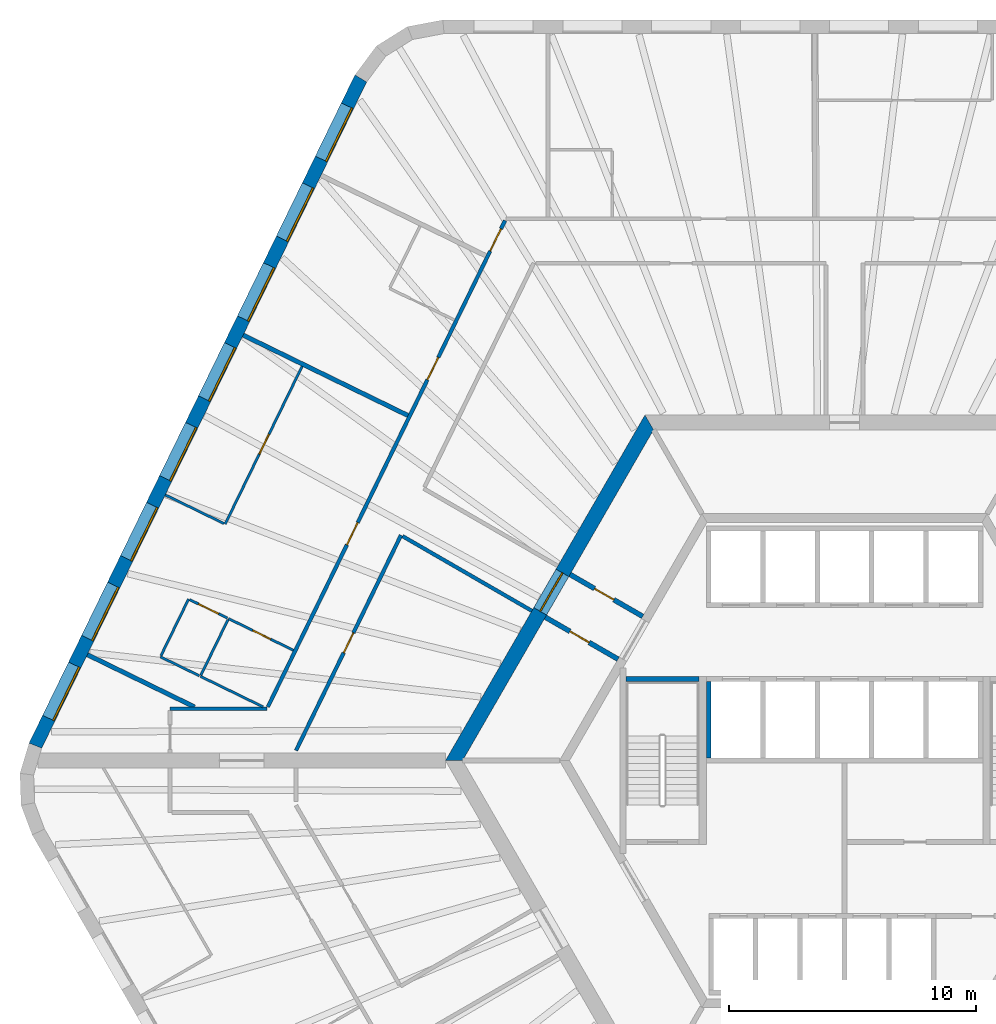
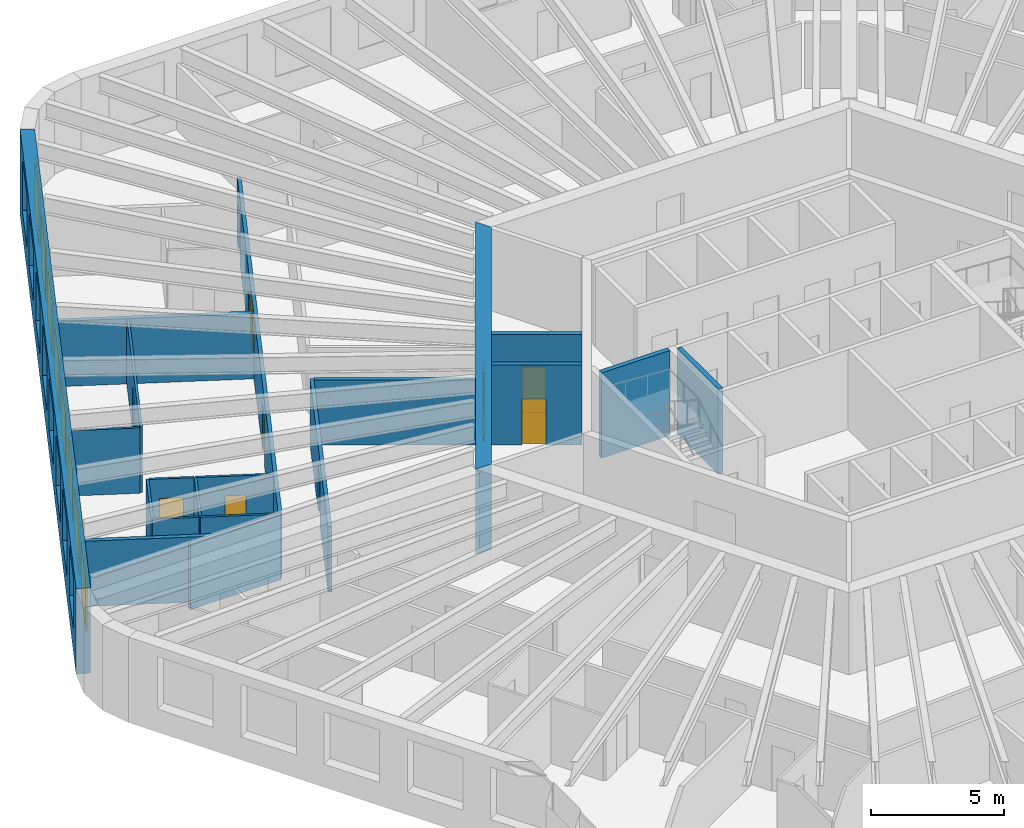
# One storey, part 7 of 12: 20 walls, 10 doors, 8 windows, 18 openings.
"""IFC4 building model written with IfcOpenShell, lengths in metres."""

from ifc_helpers import new_model, si_unit, direction, frame, frame_2d, origin, place, context, subcontext, project, spatial, polyline, rectangle, outline, extrude, material, layer, layer_set, type_object, element, fill, save


model = new_model("IFC4")

# Units and contexts
model_context = context("Model", 3, precision=1e-05, world=origin(), true_north=direction((0.0, 1.0)))
body_context = subcontext(model_context, "Body", "Model", "MODEL_VIEW")
ifc_project = project(units=[si_unit("LENGTHUNIT", "METRE"), si_unit("AREAUNIT", "SQUARE_METRE"), si_unit("VOLUMEUNIT", "CUBIC_METRE"), si_unit("PLANEANGLEUNIT", "RADIAN"), si_unit("MASSUNIT", "GRAM", prefix="KILO")], contexts=[model_context])

# Site, building, storey
site_placement = place(None, origin())
site = spatial("IfcSite", under=ifc_project, at=site_placement, CompositionType="ELEMENT")
building_placement = place(site_placement, origin())
building = spatial("IfcBuilding", under=site, at=building_placement, Name="Tarnside Tower", CompositionType="ELEMENT")
storey_placement = place(building_placement, frame((0.0, 0.0, 76.5)))
storey = spatial("IfcBuildingStorey", under=building, at=storey_placement, Name="L16", CompositionType="ELEMENT", Elevation=76.5)

# Wall
ifc_material_1 = material(Name="Gypsum board partition on steel studs", Category="steel")
ifc_layer_1 = layer(ifc_material_1, 0.10009765625)
ifc_layer_set_1 = layer_set([ifc_layer_1], Name="Bathroom wall 100")
wall_type_1 = type_object("IfcWallType", Name="Bathroom wall 100", PredefinedType="PARTITIONING", material=ifc_layer_set_1)
wall_1_placement = place(storey_placement, frame((-23.551025390625, 2.175048828125, 0.0), z_axis=(0.0, 0.0, 1.0), x_axis=(-0.89881903386, 0.438319910991, 0.0)))
element("IfcWall", 1, at=wall_1_placement, inside=storey, type_object=wall_type_1, Name="Bathroom wall 04096", PredefinedType="PARTITIONING", context=body_context, shape_type="SweptSolid", body=[
    extrude(rectangle(XDim=2.828857421875, YDim=0.10009765625, at=frame_2d((1.41455078125, 0.0))), origin(), (0.0, 0.0, 1.0), 2.98779296875),
])

# Wall, opening, door
wall_2_placement = place(storey_placement, frame((-24.9541015625, 5.751953125, 0.0), z_axis=(0.0, 0.0, 1.0), x_axis=(0.89880694479, -0.438344699976, 0.0)))
wall_2 = element("IfcWall", 2, at=wall_2_placement, inside=storey, type_object=wall_type_1, Name="Bathroom wall 04097", PredefinedType="PARTITIONING", context=body_context, shape_type="SweptSolid", body=[
    extrude(rectangle(XDim=2.925048828125, YDim=0.10009765625, at=frame_2d((1.46240234375, 0.0))), origin(), (0.0, 0.0, 1.0), 2.98779296875),
])
opening_1_placement = place(wall_2_placement, frame((1.10009765625, 0.0, 0.0)))
opening_1 = element("IfcOpeningElement", 3, at=opening_1_placement, cuts=wall_2, Name="Opening D-B1", PredefinedType="OPENING", context=body_context, shape_type="SweptSolid", body=[
    extrude(rectangle(XDim=0.800048828125, YDim=2.10009765625, at=frame_2d((0.39990234375, 1.050048828125))), frame((0.0, 0.06005859375, 0.0), z_axis=(0.0, -1.0, 0.0), x_axis=(1.0, 0.0, 0.0)), (0.0, 0.0, 1.0), 0.1201171875),
])
ifc_material_2 = material(Name="Timber door leaf", Category="wood")
door_type_1 = type_object("IfcDoorType", Name="Bathroom door 800", OperationType="NOTDEFINED", PredefinedType="DOOR", material=ifc_material_2)
door_1_placement = place(opening_1_placement, origin())
door_1 = element("IfcDoor", 4, at=door_1_placement, inside=storey, type_object=door_type_1, Name="Bathroom door 04011", OperationType="SINGLE_SWING_LEFT", OverallHeight=2.10009765625, OverallWidth=0.800048828125, PredefinedType="DOOR", context=body_context, shape_type="SweptSolid", body=[
    extrude(rectangle(XDim=0.800048828125, YDim=2.10009765625, at=frame_2d((0.39990234375, 1.050048828125))), frame((0.0, 0.02490234375, 0.0), z_axis=(0.0, -1.0, 0.0), x_axis=(1.0, 0.0, 0.0)), (0.0, 0.0, 1.0), 0.050048828125),
])
fill(opening_1, door_1)

# Wall
wall_3_placement = place(storey_placement, frame((-24.975830078125, 5.70703125, 0.0), z_axis=(0.0, 0.0, 1.0), x_axis=(-0.438363988158, -0.898797537761, 0.0)))
element("IfcWall", 5, at=wall_3_placement, inside=storey, type_object=wall_type_1, Name="Bathroom wall 04104", PredefinedType="PARTITIONING", context=body_context, shape_type="SweptSolid", body=[
    extrude(rectangle(XDim=2.5, YDim=0.10009765625, at=frame_2d((1.25, 0.0))), origin(), (0.0, 0.0, 1.0), 2.98779296875),
])

# Wall, opening, door
ifc_material_3 = material(Name="Concrete C40/50", Category="concrete")
ifc_layer_2 = layer(ifc_material_3, 0.199951171875)
ifc_layer_set_2 = layer_set([ifc_layer_2], Name="Core room partition 200 C40/50")
wall_type_2 = type_object("IfcWallType", Name="Core room partition 200 C40/50", PredefinedType="PARTITIONING", material=ifc_layer_set_2)
wall_4_placement = place(storey_placement, frame((-9.1748046875, 4.10888671875, 0.0), z_axis=(0.0, 0.0, 1.0), x_axis=(-0.865989465428, 0.500062241894, 0.0)))
wall_4 = element("IfcWall", 6, at=wall_4_placement, inside=storey, type_object=wall_type_2, Name="L16 core partition AC1L", PredefinedType="PARTITIONING", context=body_context, shape_type="SweptSolid", body=[
    extrude(rectangle(XDim=3.39990234375, YDim=0.199951171875, at=frame_2d((1.699951171875, 0.0))), origin(), (0.0, 0.0, 1.0), 3.64990234375),
])
opening_2_placement = place(wall_4_placement, frame((1.3505859375, 0.0, 0.0)))
opening_2 = element("IfcOpeningElement", 7, at=opening_2_placement, cuts=wall_4, Name="Opening CD-room", PredefinedType="OPENING", context=body_context, shape_type="SweptSolid", body=[
    extrude(rectangle(XDim=0.89990234375, YDim=2.10009765625, at=frame_2d((0.449951171875, 1.050048828125))), frame((0.0, 0.10986328125, 0.0), z_axis=(0.0, -1.0, 0.0), x_axis=(1.0, 0.0, 0.0)), (0.0, 0.0, 1.0), 0.219970703125),
])
ifc_material_4 = material(Name="Steel fire door", Category="steel")
door_type_2 = type_object("IfcDoorType", Name="Room door FD60 900x2100", OperationType="NOTDEFINED", PredefinedType="DOOR", material=ifc_material_4)
door_2_placement = place(opening_2_placement, origin())
door_2 = element("IfcDoor", 8, at=door_2_placement, inside=storey, type_object=door_type_2, Name="L16 core room door AX1L", OperationType="SINGLE_SWING_LEFT", OverallHeight=2.10009765625, OverallWidth=0.89990234375, PredefinedType="DOOR", context=body_context, shape_type="SweptSolid", body=[
    extrude(rectangle(XDim=0.89990234375, YDim=2.10009765625, at=frame_2d((0.449951171875, 1.050048828125))), frame((0.0, 0.02490234375, 0.0), z_axis=(0.0, -1.0, 0.0), x_axis=(1.0, 0.0, 0.0)), (0.0, 0.0, 1.0), 0.050048828125),
])
fill(opening_2, door_2)

wall_5_placement = place(storey_placement, frame((-8.1748046875, 5.841064453125, 0.0), z_axis=(0.0, 0.0, 1.0), x_axis=(-0.866020560687, 0.500008388397, 0.0)))
wall_5 = element("IfcWall", 9, at=wall_5_placement, inside=storey, type_object=wall_type_2, Name="L16 core partition AC1R", PredefinedType="PARTITIONING", context=body_context, shape_type="SweptSolid", body=[
    extrude(rectangle(XDim=3.39990234375, YDim=0.199951171875, at=frame_2d((1.699951171875, 0.0))), origin(), (0.0, 0.0, 1.0), 3.64990234375),
])
opening_3_placement = place(wall_5_placement, frame((1.349609375, 0.0, 0.0)))
opening_3 = element("IfcOpeningElement", 10, at=opening_3_placement, cuts=wall_5, Name="Opening CD-room", PredefinedType="OPENING", context=body_context, shape_type="SweptSolid", body=[
    extrude(rectangle(XDim=0.89990234375, YDim=2.10009765625, at=frame_2d((0.449951171875, 1.050048828125))), frame((0.0, 0.10986328125, 0.0), z_axis=(0.0, -1.0, 0.0), x_axis=(1.0, 0.0, 0.0)), (0.0, 0.0, 1.0), 0.219970703125),
])
door_3_placement = place(opening_3_placement, origin())
door_3 = element("IfcDoor", 11, at=door_3_placement, inside=storey, type_object=door_type_2, Name="L16 core room door AX1R", OperationType="SINGLE_SWING_LEFT", OverallHeight=2.10009765625, OverallWidth=0.89990234375, PredefinedType="DOOR", context=body_context, shape_type="SweptSolid", body=[
    extrude(rectangle(XDim=0.89990234375, YDim=2.10009765625, at=frame_2d((0.449951171875, 1.050048828125))), frame((0.0, 0.02490234375, 0.0), z_axis=(0.0, -1.0, 0.0), x_axis=(1.0, 0.0, 0.0)), (0.0, 0.0, 1.0), 0.050048828125),
])
fill(opening_3, door_3)

ifc_material_5 = material(Name="Concrete C80/95", Category="concrete")
ifc_layer_3 = layer(ifc_material_5, 0.60009765625)
ifc_layer_set_3 = layer_set([ifc_layer_3], Name="Core wall Z1 600 C80/95")
wall_type_3 = type_object("IfcWallType", Name="Core wall Z1 600 C80/95", PredefinedType="SHEAR", material=ifc_layer_set_3)
wall_6_placement = place(storey_placement, frame((-7.90966796875, 13.699951171875, -0.14990234375), z_axis=(0.0, 0.0, 1.0), x_axis=(-0.499999880136, -0.866025472988, 0.0)))
wall_6 = element("IfcWall", 12, at=wall_6_placement, inside=storey, type_object=wall_type_3, Name="L16 core wall face 2", PredefinedType="SHEAR", context=body_context, shape_type="SweptSolid", body=[
    extrude(outline(polyline([(-0.17333984375, -0.300048828125), (15.99267578125, -0.300048828125), (15.64599609375, 0.300048828125), (0.17333984375, 0.300048828125), (-0.17333984375, -0.300048828125)])), origin(), (0.0, 0.0, 1.0), 3.89990234375),
])
opening_4_placement = place(wall_6_placement, frame((7.03857421875, 0.0, 0.14990234375)))
opening_4 = element("IfcOpeningElement", 13, at=opening_4_placement, cuts=wall_6, Name="Opening CD-LOB", PredefinedType="OPENING", context=body_context, shape_type="SweptSolid", body=[
    extrude(rectangle(XDim=1.800048828125, YDim=2.39990234375, at=frame_2d((0.89990234375, 1.199951171875))), frame((0.0, 0.31005859375, 0.0), z_axis=(0.0, -1.0, 0.0), x_axis=(1.0, 0.0, 0.0)), (0.0, 0.0, 1.0), 0.6201171875),
])
door_type_3 = type_object("IfcDoorType", Name="Lobby double door FD30S 1800x2400", OperationType="NOTDEFINED", PredefinedType="DOOR", material=ifc_material_4)
door_4_placement = place(opening_4_placement, origin())
door_4 = element("IfcDoor", 14, at=door_4_placement, inside=storey, type_object=door_type_3, Name="L16 core door P1", OperationType="DOUBLE_DOOR_SINGLE_SWING", OverallHeight=2.39990234375, OverallWidth=1.800048828125, PredefinedType="DOOR", context=body_context, shape_type="SweptSolid", body=[
    extrude(rectangle(XDim=1.800048828125, YDim=2.39990234375, at=frame_2d((0.89990234375, 1.199951171875))), frame((0.0, 0.02490234375, 0.0), z_axis=(0.0, -1.0, 0.0), x_axis=(1.0, 0.0, 0.0)), (0.0, 0.0, 1.0), 0.050048828125),
])
fill(opening_4, door_4)

# Wall, openings, doors
ifc_layer_4 = layer(ifc_material_1, 0.14990234375)
ifc_layer_set_4 = layer_set([ifc_layer_4], Name="Corridor wall 150 EI 60")
wall_type_4 = type_object("IfcWallType", Name="Corridor wall 150 EI 60", PredefinedType="PARTITIONING", material=ifc_layer_set_4)
wall_7_placement = place(storey_placement, frame((-13.75244140625, 21.875, 0.0), z_axis=(0.0, 0.0, 1.0), x_axis=(-0.438374473378, -0.898792423806, 0.0)))
wall_7 = element("IfcWall", 15, at=wall_7_placement, inside=storey, type_object=wall_type_4, Name="Corridor wall 04008", PredefinedType="PARTITIONING", context=body_context, shape_type="SweptSolid", body=[
    extrude(rectangle(XDim=21.918212890625, YDim=0.14990234375, at=frame_2d((10.958984375, 0.0))), origin(), (0.0, 0.0, 1.0), 2.98779296875),
])
opening_5_placement = place(wall_7_placement, frame((0.371337890625, 0.0, 0.0)))
opening_5 = element("IfcOpeningElement", 16, at=opening_5_placement, cuts=wall_7, Name="Opening D-E1", PredefinedType="OPENING", context=body_context, shape_type="SweptSolid", body=[
    extrude(rectangle(XDim=1.0, YDim=2.10009765625, at=frame_2d((0.5, 1.050048828125))), frame((0.0, 0.0849609375, 0.0), z_axis=(0.0, -1.0, 0.0), x_axis=(1.0, 0.0, 0.0)), (0.0, 0.0, 1.0), 0.169921875),
])
opening_6_placement = place(wall_7_placement, frame((6.17138671875, 0.0, 0.0)))
opening_6 = element("IfcOpeningElement", 17, at=opening_6_placement, cuts=wall_7, Name="Opening D-E1", PredefinedType="OPENING", context=body_context, shape_type="SweptSolid", body=[
    extrude(rectangle(XDim=1.0, YDim=2.10009765625, at=frame_2d((0.5, 1.050048828125))), frame((0.0, 0.0849609375, 0.0), z_axis=(0.0, -1.0, 0.0), x_axis=(1.0, 0.0, 0.0)), (0.0, 0.0, 1.0), 0.169921875),
])
opening_7_placement = place(wall_7_placement, frame((13.611572265625, 0.0, 0.0)))
opening_7 = element("IfcOpeningElement", 18, at=opening_7_placement, cuts=wall_7, Name="Opening D-E1", PredefinedType="OPENING", context=body_context, shape_type="SweptSolid", body=[
    extrude(rectangle(XDim=1.0, YDim=2.10009765625, at=frame_2d((0.5, 1.050048828125))), frame((0.0, 0.0849609375, 0.0), z_axis=(0.0, -1.0, 0.0), x_axis=(1.0, 0.0, 0.0)), (0.0, 0.0, 1.0), 0.169921875),
])
door_type_4 = type_object("IfcDoorType", Name="Unit entrance door 1000 FD30S", OperationType="NOTDEFINED", PredefinedType="DOOR", material=ifc_material_2)
door_5_placement = place(opening_5_placement, origin())
door_5 = element("IfcDoor", 19, at=door_5_placement, inside=storey, type_object=door_type_4, Name="Unit door 04007", OperationType="SINGLE_SWING_LEFT", OverallHeight=2.10009765625, OverallWidth=1.0, PredefinedType="DOOR", context=body_context, shape_type="SweptSolid", body=[
    extrude(rectangle(XDim=1.0, YDim=2.10009765625, at=frame_2d((0.5, 1.050048828125))), frame((0.0, 0.02490234375, 0.0), z_axis=(0.0, -1.0, 0.0), x_axis=(1.0, 0.0, 0.0)), (0.0, 0.0, 1.0), 0.050048828125),
])
fill(opening_5, door_5)
door_6_placement = place(opening_6_placement, origin())
door_6 = element("IfcDoor", 20, at=door_6_placement, inside=storey, type_object=door_type_4, Name="Unit door 04008", OperationType="SINGLE_SWING_LEFT", OverallHeight=2.10009765625, OverallWidth=1.0, PredefinedType="DOOR", context=body_context, shape_type="SweptSolid", body=[
    extrude(rectangle(XDim=1.0, YDim=2.10009765625, at=frame_2d((0.5, 1.050048828125))), frame((0.0, 0.02490234375, 0.0), z_axis=(0.0, -1.0, 0.0), x_axis=(1.0, 0.0, 0.0)), (0.0, 0.0, 1.0), 0.050048828125),
])
fill(opening_6, door_6)
door_7_placement = place(opening_7_placement, origin())
door_7 = element("IfcDoor", 21, at=door_7_placement, inside=storey, type_object=door_type_4, Name="Unit door 04010", OperationType="SINGLE_SWING_LEFT", OverallHeight=2.10009765625, OverallWidth=1.0, PredefinedType="DOOR", context=body_context, shape_type="SweptSolid", body=[
    extrude(rectangle(XDim=1.0, YDim=2.10009765625, at=frame_2d((0.5, 1.050048828125))), frame((0.0, 0.02490234375, 0.0), z_axis=(0.0, -1.0, 0.0), x_axis=(1.0, 0.0, 0.0)), (0.0, 0.0, 1.0), 0.050048828125),
])
fill(opening_7, door_7)

# Wall
wall_8_placement = place(storey_placement, frame((-23.3974609375, 2.10009765625, 0.0), z_axis=(0.0, 0.0, 1.0), x_axis=(-1.0, 0.0, 0.0)))
element("IfcWall", 22, at=wall_8_placement, inside=storey, type_object=wall_type_4, Name="Corridor wall 04011", PredefinedType="PARTITIONING", context=body_context, shape_type="SweptSolid", body=[
    extrude(rectangle(XDim=3.9228515625, YDim=0.14990234375, at=frame_2d((1.96142578125, 0.0))), origin(), (0.0, 0.0, 1.0), 2.98779296875),
])

# Wall, opening, door
wall_9_placement = place(storey_placement, frame((-22.218994140625, 0.41015625, 0.0), z_axis=(0.0, 0.0, 1.0), x_axis=(0.438391891827, 0.898783927972, 0.0)))
wall_9 = element("IfcWall", 23, at=wall_9_placement, inside=storey, type_object=wall_type_4, Name="Corridor wall 04023", PredefinedType="PARTITIONING", context=body_context, shape_type="SweptSolid", body=[
    extrude(rectangle(XDim=9.698974609375, YDim=0.14990234375, at=frame_2d((4.849609375, 0.0))), origin(), (0.0, 0.0, 1.0), 2.98779296875),
])
opening_8_placement = place(wall_9_placement, frame((4.399658203125, 0.0, 0.0)))
opening_8 = element("IfcOpeningElement", 24, at=opening_8_placement, cuts=wall_9, Name="Opening D-S1", PredefinedType="OPENING", context=body_context, shape_type="SweptSolid", body=[
    extrude(rectangle(XDim=0.89990234375, YDim=2.10009765625, at=frame_2d((0.449951171875, 1.050048828125))), frame((0.0, 0.0849609375, 0.0), z_axis=(0.0, -1.0, 0.0), x_axis=(1.0, 0.0, 0.0)), (0.0, 0.0, 1.0), 0.169921875),
])
door_type_5 = type_object("IfcDoorType", Name="Service room door 900 FD30S", OperationType="NOTDEFINED", PredefinedType="DOOR", material=ifc_material_2)
door_8_placement = place(opening_8_placement, origin())
door_8 = element("IfcDoor", 25, at=door_8_placement, inside=storey, type_object=door_type_5, Name="Service door 04043", OperationType="SINGLE_SWING_LEFT", OverallHeight=2.10009765625, OverallWidth=0.89990234375, PredefinedType="DOOR", context=body_context, shape_type="SweptSolid", body=[
    extrude(rectangle(XDim=0.89990234375, YDim=2.10009765625, at=frame_2d((0.449951171875, 1.050048828125))), frame((0.0, 0.02490234375, 0.0), z_axis=(0.0, -1.0, 0.0), x_axis=(1.0, 0.0, 0.0)), (0.0, 0.0, 1.0), 0.050048828125),
])
fill(opening_8, door_8)

# Walls
wall_10_placement = place(storey_placement, frame((-17.902099609375, 9.08984375, 0.0), z_axis=(0.0, 0.0, 1.0), x_axis=(0.866036368755, -0.499981007633, 0.0)))
element("IfcWall", 26, at=wall_10_placement, inside=storey, type_object=wall_type_4, Name="Corridor wall 04024", PredefinedType="PARTITIONING", context=body_context, shape_type="SweptSolid", body=[
    extrude(rectangle(XDim=6.048583984375, YDim=0.14990234375, at=frame_2d((3.0244140625, 0.0))), origin(), (0.0, 0.0, 1.0), 2.98779296875),
])
ifc_layer_5 = layer(ifc_material_1, 0.179931640625)
ifc_layer_set_5 = layer_set([ifc_layer_5], Name="Demising wall 180 EI 60")
wall_type_5 = type_object("IfcWallType", Name="Demising wall 180 EI 60", PredefinedType="PARTITIONING", material=ifc_layer_set_5)
wall_11_placement = place(storey_placement, frame((-24.3603515625, 17.234130859375, 0.0), z_axis=(0.0, 0.0, 1.0), x_axis=(0.898796252669, -0.438366623032, 0.0)))
element("IfcWall", 27, at=wall_11_placement, inside=storey, type_object=wall_type_5, Name="Demising wall 04094", PredefinedType="PARTITIONING", context=body_context, shape_type="SweptSolid", body=[
    extrude(rectangle(XDim=7.425048828125, YDim=0.179931640625, at=frame_2d((3.71240234375, 0.0))), origin(), (0.0, 0.0, 1.0), 2.98779296875),
])
wall_12_placement = place(storey_placement, frame((-30.673095703125, 4.29150390625, 0.0), z_axis=(0.0, 0.0, 1.0), x_axis=(0.898812662672, -0.438332975512, 0.0)))
element("IfcWall", 28, at=wall_12_placement, inside=storey, type_object=wall_type_5, Name="Demising wall 04103", PredefinedType="PARTITIONING", context=body_context, shape_type="SweptSolid", body=[
    extrude(rectangle(XDim=4.828369140625, YDim=0.179931640625, at=frame_2d((2.4140625, 0.0))), origin(), (0.0, 0.0, 1.0), 2.98779296875),
])
ifc_layer_6 = layer(ifc_material_3, 0.199951171875)
ifc_layer_set_6 = layer_set([ifc_layer_6], Name="Lift shaft wall 200 C40/50")
wall_type_6 = type_object("IfcWallType", Name="Lift shaft wall 200 C40/50", PredefinedType="SHEAR", material=ifc_layer_set_6)
wall_13_placement = place(storey_placement, frame((-5.5, 0.10009765625, -0.25), z_axis=(0.0, 0.0, 1.0), x_axis=(0.0, 1.0, 0.0)))
element("IfcWall", 29, at=wall_13_placement, inside=storey, type_object=wall_type_6, Name="L16 lift shaft partition R21", PredefinedType="SHEAR", context=body_context, shape_type="SweptSolid", body=[
    extrude(rectangle(XDim=3.099853515625, YDim=0.199951171875, at=frame_2d((1.5498046875, 0.0))), origin(), (0.0, 0.0, 1.0), 3.89990234375),
])
wall_14_placement = place(storey_placement, frame((-8.85009765625, 3.300048828125, -0.25), z_axis=(0.0, 0.0, 1.0), x_axis=(1.0, 0.0, 0.0)))
element("IfcWall", 30, at=wall_14_placement, inside=storey, type_object=wall_type_6, Name="L16 stair 2 enclosure cap wall n", PredefinedType="SHEAR", context=body_context, shape_type="SweptSolid", body=[
    extrude(rectangle(XDim=2.9501953125, YDim=0.199951171875, at=frame_2d((1.47509765625, 0.0))), origin(), (0.0, 0.0, 1.0), 3.89990234375),
])
ifc_layer_7 = layer(ifc_material_1, 0.10009765625)
ifc_layer_set_7 = layer_set([ifc_layer_7], Name="Partition 100")
wall_type_7 = type_object("IfcWallType", Name="Partition 100", PredefinedType="PARTITIONING", material=ifc_layer_set_7)
wall_15_placement = place(storey_placement, frame((-26.138671875, 3.43701171875, 0.0), z_axis=(0.0, 0.0, 1.0), x_axis=(-0.89881938742, 0.438319185981, 0.0)))
element("IfcWall", 31, at=wall_15_placement, inside=storey, type_object=wall_type_7, Name="Partition wall 04098", PredefinedType="PARTITIONING", context=body_context, shape_type="SweptSolid", body=[
    extrude(rectangle(XDim=1.75, YDim=0.10009765625, at=frame_2d((0.875, 0.0))), origin(), (0.0, 0.0, 1.0), 2.98779296875),
])
wall_16_placement = place(storey_placement, frame((-27.689697265625, 4.2490234375, 0.0), z_axis=(0.0, 0.0, 1.0), x_axis=(0.438384020656, 0.898787767181, 0.0)))
element("IfcWall", 32, at=wall_16_placement, inside=storey, type_object=wall_type_7, Name="Partition wall 04099", PredefinedType="PARTITIONING", context=body_context, shape_type="SweptSolid", body=[
    extrude(rectangle(XDim=2.550048828125, YDim=0.10009765625, at=frame_2d((1.27490234375, 0.0))), origin(), (0.0, 0.0, 1.0), 2.98779296875),
])

# Wall, opening, door
wall_17_placement = place(storey_placement, frame((-26.52685546875, 6.51904296875, 0.0), z_axis=(0.0, 0.0, 1.0), x_axis=(0.898807091918, -0.438344398296, 0.0)))
wall_17 = element("IfcWall", 33, at=wall_17_placement, inside=storey, type_object=wall_type_7, Name="Partition wall 04100", PredefinedType="PARTITIONING", context=body_context, shape_type="SweptSolid", body=[
    extrude(rectangle(XDim=1.699951171875, YDim=0.10009765625, at=frame_2d((0.85009765625, 0.0))), origin(), (0.0, 0.0, 1.0), 2.98779296875),
])
opening_9_placement = place(wall_17_placement, frame((0.39990234375, 0.0, 0.0)))
opening_9 = element("IfcOpeningElement", 34, at=opening_9_placement, cuts=wall_17, Name="Opening D-I1", PredefinedType="OPENING", context=body_context, shape_type="SweptSolid", body=[
    extrude(rectangle(XDim=0.89990234375, YDim=2.10009765625, at=frame_2d((0.449951171875, 1.050048828125))), frame((0.0, 0.06005859375, 0.0), z_axis=(0.0, -1.0, 0.0), x_axis=(1.0, 0.0, 0.0)), (0.0, 0.0, 1.0), 0.1201171875),
])
door_type_6 = type_object("IfcDoorType", Name="Internal door 900", OperationType="NOTDEFINED", PredefinedType="DOOR", material=ifc_material_2)
door_9_placement = place(opening_9_placement, origin())
door_9 = element("IfcDoor", 35, at=door_9_placement, inside=storey, type_object=door_type_6, Name="Internal door 04012", OperationType="SINGLE_SWING_RIGHT", OverallHeight=2.10009765625, OverallWidth=0.89990234375, PredefinedType="DOOR", context=body_context, shape_type="SweptSolid", body=[
    extrude(rectangle(XDim=0.89990234375, YDim=2.10009765625, at=frame_2d((0.449951171875, 1.050048828125))), frame((0.0, 0.02490234375, 0.0), z_axis=(0.0, -1.0, 0.0), x_axis=(1.0, 0.0, 0.0)), (0.0, 0.0, 1.0), 0.050048828125),
])
fill(opening_9, door_9)

wall_18_placement = place(storey_placement, frame((-21.97314453125, 15.9697265625, 0.0), z_axis=(0.0, 0.0, 1.0), x_axis=(-0.438360036982, -0.898799464829, 0.0)))
wall_18 = element("IfcWall", 36, at=wall_18_placement, inside=storey, type_object=wall_type_7, Name="Partition wall 04101", PredefinedType="PARTITIONING", context=body_context, shape_type="SweptSolid", body=[
    extrude(rectangle(XDim=7.10986328125, YDim=0.10009765625, at=frame_2d((3.554931640625, 0.0))), origin(), (0.0, 0.0, 1.0), 2.98779296875),
])
opening_10_placement = place(wall_18_placement, frame((3.06005859375, 0.0, 0.0)))
opening_10 = element("IfcOpeningElement", 37, at=opening_10_placement, cuts=wall_18, Name="Opening D-I1", PredefinedType="OPENING", context=body_context, shape_type="SweptSolid", body=[
    extrude(rectangle(XDim=0.89990234375, YDim=2.10009765625, at=frame_2d((0.449951171875, 1.050048828125))), frame((0.0, 0.06005859375, 0.0), z_axis=(0.0, -1.0, 0.0), x_axis=(1.0, 0.0, 0.0)), (0.0, 0.0, 1.0), 0.1201171875),
])
door_10_placement = place(opening_10_placement, origin())
door_10 = element("IfcDoor", 38, at=door_10_placement, inside=storey, type_object=door_type_6, Name="Internal door 04013", OperationType="SINGLE_SWING_RIGHT", OverallHeight=2.10009765625, OverallWidth=0.89990234375, PredefinedType="DOOR", context=body_context, shape_type="SweptSolid", body=[
    extrude(rectangle(XDim=0.89990234375, YDim=2.10009765625, at=frame_2d((0.449951171875, 1.050048828125))), frame((0.0, 0.02490234375, 0.0), z_axis=(0.0, -1.0, 0.0), x_axis=(1.0, 0.0, 0.0)), (0.0, 0.0, 1.0), 0.050048828125),
])
fill(opening_10, door_10)

# Wall
wall_19_placement = place(storey_placement, frame((-25.135009765625, 9.601318359375, 0.0), z_axis=(0.0, 0.0, 1.0), x_axis=(-0.898787925725, 0.438383695602, 0.0)))
element("IfcWall", 39, at=wall_19_placement, inside=storey, type_object=wall_type_7, Name="Partition wall 04102", PredefinedType="PARTITIONING", context=body_context, shape_type="SweptSolid", body=[
    extrude(rectangle(XDim=2.64990234375, YDim=0.10009765625, at=frame_2d((1.324951171875, 0.0))), origin(), (0.0, 0.0, 1.0), 2.98779296875),
])

# Wall, openings, windows
ifc_material_6 = material(Name="Facing brick", Category="masonry")
ifc_layer_8 = layer(ifc_material_6, 0.10205078125)
ifc_material_7 = material(Name="Concrete C60/75 precast", Category="concrete")
ifc_layer_9 = layer(ifc_material_7, 0.347900390625)
ifc_material_8 = material(Name="Mineral wool insulation")
ifc_layer_10 = layer(ifc_material_8, 0.10009765625)
ifc_layer_set_8 = layer_set([ifc_layer_8, ifc_layer_9, ifc_layer_10], Name="Tube wall 550 brick faced")
wall_type_8 = type_object("IfcWallType", Name="Tube wall 550 brick faced", PredefinedType="SOLIDWALL", material=ifc_layer_set_8)
wall_20_placement = place(storey_placement, frame((-19.5947265625, 27.6328125, -0.14990234375), z_axis=(0.0, 0.0, 1.0), x_axis=(-0.438368285794, -0.898795441694, 0.0)))
wall_20 = element("IfcWall", 40, at=wall_20_placement, inside=storey, type_object=wall_type_8, Name="Tube wall L16 F2 flush 04", PredefinedType="SOLIDWALL", context=body_context, shape_type="SweptSolid", body=[
    extrude(outline(polyline([(-0.025634765625, -0.27490234375), (30.09326171875, -0.27490234375), (30.04833984375, 0.27490234375), (0.025634765625, 0.27490234375), (-0.025634765625, -0.27490234375)])), origin(), (0.0, 0.0, 1.0), 3.89990234375),
])
opening_11_placement = place(wall_20_placement, frame((1.235595703125, 0.0, 1.050048828125)))
opening_11 = element("IfcOpeningElement", 41, at=opening_11_placement, cuts=wall_20, Name="Opening WH", PredefinedType="OPENING", context=body_context, shape_type="SweptSolid", body=[
    extrude(rectangle(XDim=2.39990234375, YDim=2.39990234375, at=frame_2d((1.199951171875, 1.199951171875))), frame((0.0, 0.28515625, 0.0), z_axis=(0.0, -1.0, 0.0), x_axis=(1.0, 0.0, 0.0)), (0.0, 0.0, 1.0), 0.570068359375),
])
opening_12_placement = place(wall_20_placement, frame((4.83544921875, 0.0, 1.050048828125)))
opening_12 = element("IfcOpeningElement", 42, at=opening_12_placement, cuts=wall_20, Name="Opening WH", PredefinedType="OPENING", context=body_context, shape_type="SweptSolid", body=[
    extrude(rectangle(XDim=2.39990234375, YDim=2.39990234375, at=frame_2d((1.199951171875, 1.199951171875))), frame((0.0, 0.28515625, 0.0), z_axis=(0.0, -1.0, 0.0), x_axis=(1.0, 0.0, 0.0)), (0.0, 0.0, 1.0), 0.570068359375),
])
opening_13_placement = place(wall_20_placement, frame((8.435546875, 0.0, 1.050048828125)))
opening_13 = element("IfcOpeningElement", 43, at=opening_13_placement, cuts=wall_20, Name="Opening WH", PredefinedType="OPENING", context=body_context, shape_type="SweptSolid", body=[
    extrude(rectangle(XDim=2.39990234375, YDim=2.39990234375, at=frame_2d((1.199951171875, 1.199951171875))), frame((0.0, 0.28515625, 0.0), z_axis=(0.0, -1.0, 0.0), x_axis=(1.0, 0.0, 0.0)), (0.0, 0.0, 1.0), 0.570068359375),
])
opening_14_placement = place(wall_20_placement, frame((12.035400390625, 0.0, 1.050048828125)))
opening_14 = element("IfcOpeningElement", 44, at=opening_14_placement, cuts=wall_20, Name="Opening WH", PredefinedType="OPENING", context=body_context, shape_type="SweptSolid", body=[
    extrude(rectangle(XDim=2.39990234375, YDim=2.39990234375, at=frame_2d((1.199951171875, 1.199951171875))), frame((0.0, 0.28515625, 0.0), z_axis=(0.0, -1.0, 0.0), x_axis=(1.0, 0.0, 0.0)), (0.0, 0.0, 1.0), 0.570068359375),
])
opening_15_placement = place(wall_20_placement, frame((15.635498046875, 0.0, 1.050048828125)))
opening_15 = element("IfcOpeningElement", 45, at=opening_15_placement, cuts=wall_20, Name="Opening WH", PredefinedType="OPENING", context=body_context, shape_type="SweptSolid", body=[
    extrude(rectangle(XDim=2.39990234375, YDim=2.39990234375, at=frame_2d((1.199951171875, 1.199951171875))), frame((0.0, 0.28515625, 0.0), z_axis=(0.0, -1.0, 0.0), x_axis=(1.0, 0.0, 0.0)), (0.0, 0.0, 1.0), 0.570068359375),
])
opening_16_placement = place(wall_20_placement, frame((19.235595703125, 0.0, 1.050048828125)))
opening_16 = element("IfcOpeningElement", 46, at=opening_16_placement, cuts=wall_20, Name="Opening WH", PredefinedType="OPENING", context=body_context, shape_type="SweptSolid", body=[
    extrude(rectangle(XDim=2.39990234375, YDim=2.39990234375, at=frame_2d((1.199951171875, 1.199951171875))), frame((0.0, 0.28515625, 0.0), z_axis=(0.0, -1.0, 0.0), x_axis=(1.0, 0.0, 0.0)), (0.0, 0.0, 1.0), 0.570068359375),
])
opening_17_placement = place(wall_20_placement, frame((22.83544921875, 0.0, 1.050048828125)))
opening_17 = element("IfcOpeningElement", 47, at=opening_17_placement, cuts=wall_20, Name="Opening WH", PredefinedType="OPENING", context=body_context, shape_type="SweptSolid", body=[
    extrude(rectangle(XDim=2.39990234375, YDim=2.39990234375, at=frame_2d((1.199951171875, 1.199951171875))), frame((0.0, 0.28515625, 0.0), z_axis=(0.0, -1.0, 0.0), x_axis=(1.0, 0.0, 0.0)), (0.0, 0.0, 1.0), 0.570068359375),
])
opening_18_placement = place(wall_20_placement, frame((26.435546875, 0.0, 1.050048828125)))
opening_18 = element("IfcOpeningElement", 48, at=opening_18_placement, cuts=wall_20, Name="Opening WH", PredefinedType="OPENING", context=body_context, shape_type="SweptSolid", body=[
    extrude(rectangle(XDim=2.39990234375, YDim=2.39990234375, at=frame_2d((1.199951171875, 1.199951171875))), frame((0.0, 0.28515625, 0.0), z_axis=(0.0, -1.0, 0.0), x_axis=(1.0, 0.0, 0.0)), (0.0, 0.0, 1.0), 0.570068359375),
])
ifc_material_9 = material(Name="Aluminium-framed double glazing", Category="aluminium")
window_type = type_object("IfcWindowType", Name="Hotel window 2400 x 2400", PartitioningType="DOUBLE_PANEL_VERTICAL", PredefinedType="WINDOW", material=ifc_material_9)
window_1_placement = place(opening_11_placement, frame((0.0, 0.205078125, 0.0)))
window_1 = element("IfcWindow", 49, at=window_1_placement, inside=storey, type_object=window_type, Name="E.WN.L16.F2.00", OverallHeight=2.39990234375, OverallWidth=2.39990234375, PartitioningType="DOUBLE_PANEL_VERTICAL", PredefinedType="WINDOW", context=body_context, shape_type="SweptSolid", body=[
    extrude(rectangle(XDim=2.39990234375, YDim=2.39990234375, at=frame_2d((1.199951171875, 1.199951171875))), frame((0.0, 0.030029296875, 0.0), z_axis=(0.0, -1.0, 0.0), x_axis=(1.0, 0.0, 0.0)), (0.0, 0.0, 1.0), 0.06005859375),
])
fill(opening_11, window_1)
window_2_placement = place(opening_12_placement, frame((0.0, 0.205078125, 0.0)))
window_2 = element("IfcWindow", 50, at=window_2_placement, inside=storey, type_object=window_type, Name="E.WN.L16.F2.01", OverallHeight=2.39990234375, OverallWidth=2.39990234375, PartitioningType="DOUBLE_PANEL_VERTICAL", PredefinedType="WINDOW", context=body_context, shape_type="SweptSolid", body=[
    extrude(rectangle(XDim=2.39990234375, YDim=2.39990234375, at=frame_2d((1.199951171875, 1.199951171875))), frame((0.0, 0.030029296875, 0.0), z_axis=(0.0, -1.0, 0.0), x_axis=(1.0, 0.0, 0.0)), (0.0, 0.0, 1.0), 0.06005859375),
])
fill(opening_12, window_2)
window_3_placement = place(opening_13_placement, frame((0.0, 0.205078125, 0.0)))
window_3 = element("IfcWindow", 51, at=window_3_placement, inside=storey, type_object=window_type, Name="E.WN.L16.F2.02", OverallHeight=2.39990234375, OverallWidth=2.39990234375, PartitioningType="DOUBLE_PANEL_VERTICAL", PredefinedType="WINDOW", context=body_context, shape_type="SweptSolid", body=[
    extrude(rectangle(XDim=2.39990234375, YDim=2.39990234375, at=frame_2d((1.199951171875, 1.199951171875))), frame((0.0, 0.030029296875, 0.0), z_axis=(0.0, -1.0, 0.0), x_axis=(1.0, 0.0, 0.0)), (0.0, 0.0, 1.0), 0.06005859375),
])
fill(opening_13, window_3)
window_4_placement = place(opening_14_placement, frame((0.0, 0.205078125, 0.0)))
window_4 = element("IfcWindow", 52, at=window_4_placement, inside=storey, type_object=window_type, Name="E.WN.L16.F2.03", OverallHeight=2.39990234375, OverallWidth=2.39990234375, PartitioningType="DOUBLE_PANEL_VERTICAL", PredefinedType="WINDOW", context=body_context, shape_type="SweptSolid", body=[
    extrude(rectangle(XDim=2.39990234375, YDim=2.39990234375, at=frame_2d((1.199951171875, 1.199951171875))), frame((0.0, 0.030029296875, 0.0), z_axis=(0.0, -1.0, 0.0), x_axis=(1.0, 0.0, 0.0)), (0.0, 0.0, 1.0), 0.06005859375),
])
fill(opening_14, window_4)
window_5_placement = place(opening_15_placement, frame((0.0, 0.205078125, 0.0)))
window_5 = element("IfcWindow", 53, at=window_5_placement, inside=storey, type_object=window_type, Name="E.WN.L16.F2.04", OverallHeight=2.39990234375, OverallWidth=2.39990234375, PartitioningType="DOUBLE_PANEL_VERTICAL", PredefinedType="WINDOW", context=body_context, shape_type="SweptSolid", body=[
    extrude(rectangle(XDim=2.39990234375, YDim=2.39990234375, at=frame_2d((1.199951171875, 1.199951171875))), frame((0.0, 0.030029296875, 0.0), z_axis=(0.0, -1.0, 0.0), x_axis=(1.0, 0.0, 0.0)), (0.0, 0.0, 1.0), 0.06005859375),
])
fill(opening_15, window_5)
window_6_placement = place(opening_16_placement, frame((0.0, 0.205078125, 0.0)))
window_6 = element("IfcWindow", 54, at=window_6_placement, inside=storey, type_object=window_type, Name="E.WN.L16.F2.05", OverallHeight=2.39990234375, OverallWidth=2.39990234375, PartitioningType="DOUBLE_PANEL_VERTICAL", PredefinedType="WINDOW", context=body_context, shape_type="SweptSolid", body=[
    extrude(rectangle(XDim=2.39990234375, YDim=2.39990234375, at=frame_2d((1.199951171875, 1.199951171875))), frame((0.0, 0.030029296875, 0.0), z_axis=(0.0, -1.0, 0.0), x_axis=(1.0, 0.0, 0.0)), (0.0, 0.0, 1.0), 0.06005859375),
])
fill(opening_16, window_6)
window_7_placement = place(opening_17_placement, frame((0.0, 0.205078125, 0.0)))
window_7 = element("IfcWindow", 55, at=window_7_placement, inside=storey, type_object=window_type, Name="E.WN.L16.F2.06", OverallHeight=2.39990234375, OverallWidth=2.39990234375, PartitioningType="DOUBLE_PANEL_VERTICAL", PredefinedType="WINDOW", context=body_context, shape_type="SweptSolid", body=[
    extrude(rectangle(XDim=2.39990234375, YDim=2.39990234375, at=frame_2d((1.199951171875, 1.199951171875))), frame((0.0, 0.030029296875, 0.0), z_axis=(0.0, -1.0, 0.0), x_axis=(1.0, 0.0, 0.0)), (0.0, 0.0, 1.0), 0.06005859375),
])
fill(opening_17, window_7)
window_8_placement = place(opening_18_placement, frame((0.0, 0.205078125, 0.0)))
window_8 = element("IfcWindow", 56, at=window_8_placement, inside=storey, type_object=window_type, Name="E.WN.L16.F2.07", OverallHeight=2.39990234375, OverallWidth=2.39990234375, PartitioningType="DOUBLE_PANEL_VERTICAL", PredefinedType="WINDOW", context=body_context, shape_type="SweptSolid", body=[
    extrude(rectangle(XDim=2.39990234375, YDim=2.39990234375, at=frame_2d((1.199951171875, 1.199951171875))), frame((0.0, 0.030029296875, 0.0), z_axis=(0.0, -1.0, 0.0), x_axis=(1.0, 0.0, 0.0)), (0.0, 0.0, 1.0), 0.06005859375),
])
fill(opening_18, window_8)

save(model, "model.ifc")
